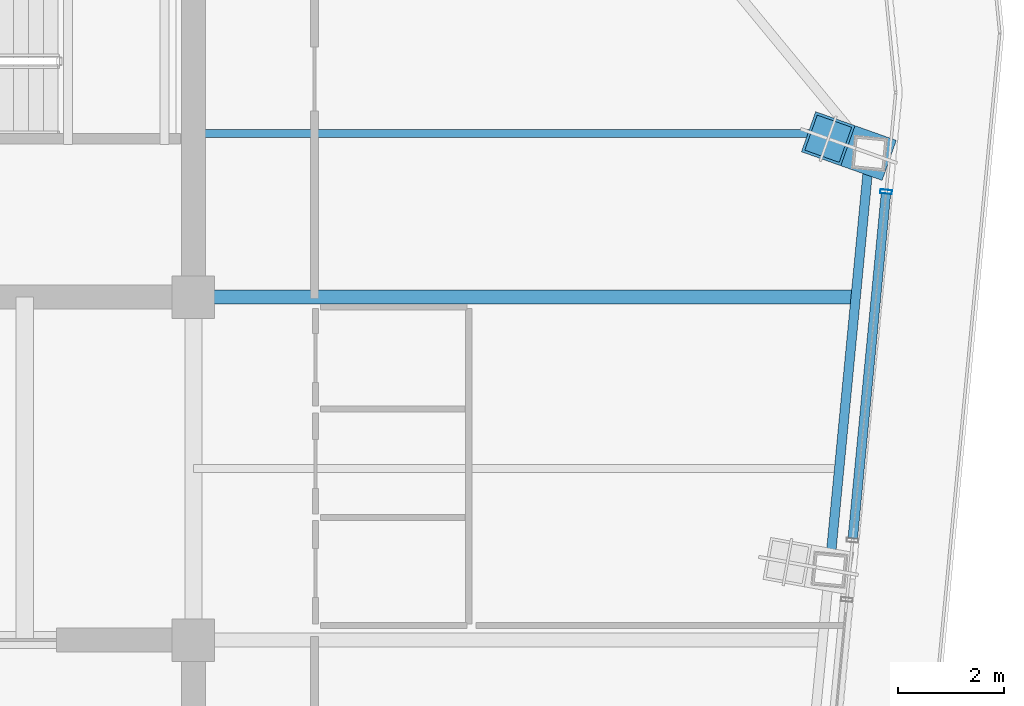
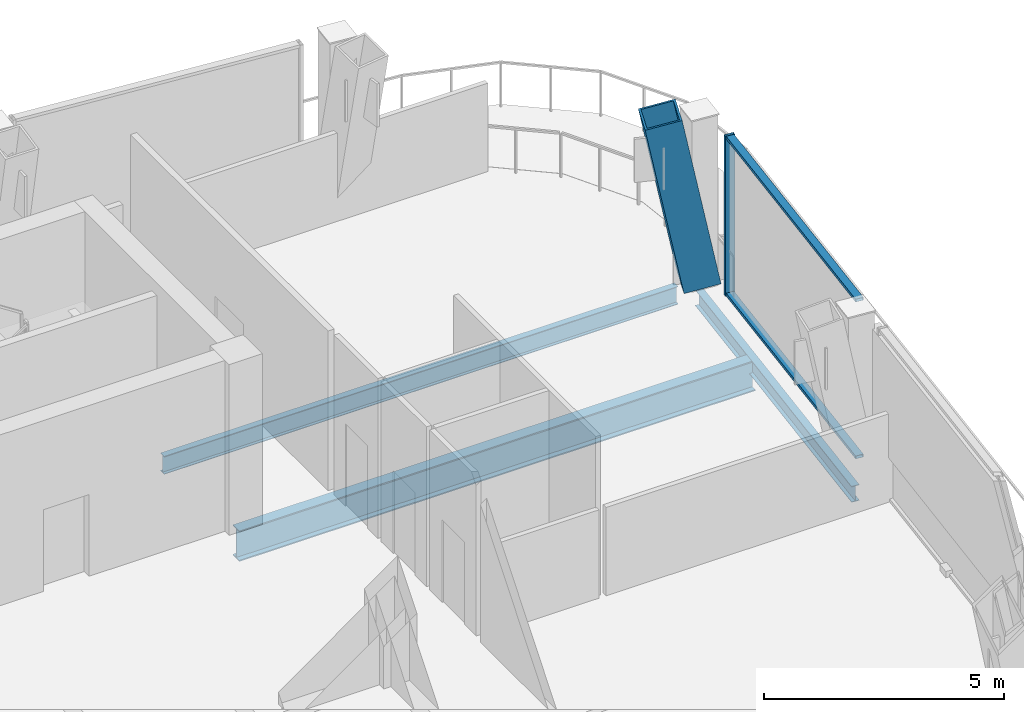
# One storey, part 7 of 19: 4 members, 3 beams, 1 element without a shape of its own.
"""IFC4 building model written with IfcOpenShell, lengths in metres."""

from ifc_helpers import new_model, si_unit, direction, frame, origin, origin_2d, place, context, subcontext, project, spatial, hollow_rectangle, i_section, extrude, material, layer, layer_set, material_profile, profile_set, type_object, element, aggregate, save


model = new_model("IFC4")

# Units and contexts
model_context = context("Model", 3, precision=1e-05, world=origin(), true_north=direction((0.0, 1.0)))
body_context = subcontext(model_context, "Body", "Model", "MODEL_VIEW")
ifc_project = project(units=[si_unit("LENGTHUNIT", "METRE"), si_unit("AREAUNIT", "SQUARE_METRE"), si_unit("VOLUMEUNIT", "CUBIC_METRE"), si_unit("PLANEANGLEUNIT", "RADIAN"), si_unit("MASSUNIT", "GRAM", prefix="KILO")], contexts=[model_context])

# Site, building, storey
site_placement = place(None, origin())
site = spatial("IfcSite", under=ifc_project, at=site_placement, CompositionType="ELEMENT")
building_placement = place(site_placement, origin())
building = spatial("IfcBuilding", under=site, at=building_placement, Name="Qhalaya Broadcast Tower", CompositionType="ELEMENT")
storey_placement = place(building_placement, frame((0.0, 0.0, 280.550048828125)))
storey = spatial("IfcBuildingStorey", under=building, at=storey_placement, Name="L83", CompositionType="ELEMENT", Elevation=280.550048828125)

# Beams
ifc_material_1 = material(Name="Structural Steel ASTM A992 Grade 50", Category="steel")
ifc_material_profile_1 = material_profile(ifc_material_1, i_section(OverallWidth=0.154052734375, OverallDepth=0.458984375, WebThickness=0.009033203125, FlangeThickness=0.015380859375, at=origin_2d()), Name="W18X46")
ifc_profile_set_1 = profile_set([ifc_material_profile_1], Name="Structural Steel ASTM A992 Grade 50")
beam_type_1 = type_object("IfcBeamType", Name="Composite Floor Joist J04", PredefinedType="JOIST", material=ifc_profile_set_1)
beam_1_placement = place(storey_placement, frame((9.375, 6.89990234375, -0.41943359375), z_axis=(1.0, 0.0, 0.0), x_axis=(0.0, 1.0, 0.0)))
element("IfcBeam", 1, at=beam_1_placement, inside=storey, type_object=beam_type_1, Name="L83 J04 L83-JWE5E-1", PredefinedType="JOIST", context=body_context, shape_type="SweptSolid", body=[
    extrude(i_section(OverallWidth=0.154052734375, OverallDepth=0.458984375, WebThickness=0.009033203125, FlangeThickness=0.015380859375, at=origin_2d()), origin(), (0.0, 0.0, 1.0), 12.38330078125),
])
ifc_material_profile_2 = material_profile(ifc_material_1, i_section(OverallWidth=0.26708984375, OverallDepth=0.780029296875, WebThickness=0.0166015625, FlangeThickness=0.030029296875, at=origin_2d()), Name="W30X148")
ifc_profile_set_2 = profile_set([ifc_material_profile_2], Name="Structural Steel ASTM A992 Grade 50")
beam_type_2 = type_object("IfcBeamType", Name="Neck & Crown Primary Girder PG5", PredefinedType="USERDEFINED", material=ifc_profile_set_2)
beam_2_placement = place(storey_placement, frame((9.375, 3.824951171875, -0.580078125), z_axis=(1.0, 0.0, 0.0), x_axis=(0.0, 1.0, 0.0)))
element("IfcBeam", 2, at=beam_2_placement, inside=storey, type_object=beam_type_2, Name="L83 PG5 L83-PGYE3-1", ObjectType="GIRDER", PredefinedType="USERDEFINED", context=body_context, shape_type="SweptSolid", body=[
    extrude(i_section(OverallWidth=0.26708984375, OverallDepth=0.780029296875, WebThickness=0.0166015625, FlangeThickness=0.030029296875, at=origin_2d()), origin(), (0.0, 0.0, 1.0), 12.43505859375),
])

# Curtain wall, members
ifc_material_2 = material(Name="Solar-Control Low-E Triple Glazing", Category="glass")
ifc_layer = layer(ifc_material_2, 0.219970703125, Name="Solar-Control Low-E Triple Glazing")
ifc_layer_set = layer_set([ifc_layer], Name="Solar-Control Low-E Triple Glazing")
curtain_wall_type = type_object("IfcCurtainWallType", Name="Crown Garden & Observation Windscreen Curtain Wall CW-06", PredefinedType="NOTDEFINED", material=ifc_layer_set)
curtain_wall_placement = place(storey_placement, origin())
curtain_wall = element("IfcCurtainWall", 3, at=curtain_wall_placement, inside=storey, type_object=curtain_wall_type, Name="L83 Unitised Curtain Wall L83-CW-E3", PredefinedType="NOTDEFINED")
ifc_material_3 = material(Name="Anodised Aluminium 6063-T6", Category="aluminium")
ifc_material_profile_3 = material_profile(ifc_material_3, hollow_rectangle(XDim=0.074951171875, YDim=0.219970703125, WallThickness=0.00390625, at=origin_2d()), Name="ALU-MUL 75x220x4")
ifc_profile_set_3 = profile_set([ifc_material_profile_3], Name="Anodised Aluminium 6063-T6")
member_type_1 = type_object("IfcMemberType", Name="Unitised Curtain-Wall Mullion M01", PredefinedType="MULLION", material=ifc_profile_set_3)
member_1_placement = place(storey_placement, frame((22.40283203125, 5.8076171875, 0.0), z_axis=(0.0, 0.0, 1.0), x_axis=(0.095842545179, 0.995396507194, 0.0)))
member_1 = element("IfcMember", 4, at=member_1_placement, type_object=member_type_1, Name="CW-06 mullion 2", PredefinedType="MULLION", context=body_context, shape_type="SweptSolid", body=[
    extrude(hollow_rectangle(XDim=0.074951171875, YDim=0.219970703125, WallThickness=0.00390625, at=origin_2d()), origin(), (0.0, 0.0, 1.0), 4.070068359375),
])
ifc_material_profile_4 = material_profile(ifc_material_3, hollow_rectangle(XDim=0.074951171875, YDim=0.179931640625, WallThickness=0.00390625, at=origin_2d()), Name="ALU-TRN 75x180x4")
ifc_profile_set_4 = profile_set([ifc_material_profile_4], Name="Anodised Aluminium 6063-T6")
member_type_2 = type_object("IfcMemberType", Name="Unitised Curtain-Wall Transom T01", PredefinedType="USERDEFINED", material=ifc_profile_set_4)
member_2_placement = place(storey_placement, frame((21.775146484375, -0.711669921875, 0.037353515625), z_axis=(0.09582813628, 0.995397894461, 0.0), x_axis=(0.0, 0.0, 1.0)))
member_2 = element("IfcMember", 5, at=member_2_placement, type_object=member_type_2, Name="CW-06 transom 1.1", ObjectType="TRANSOM", PredefinedType="USERDEFINED", context=body_context, shape_type="SweptSolid", body=[
    extrude(hollow_rectangle(XDim=0.074951171875, YDim=0.179931640625, WallThickness=0.00390625, at=origin_2d()), origin(), (0.0, 0.0, 1.0), 6.511962890625),
])
member_3_placement = place(storey_placement, frame((21.775146484375, -0.711669921875, 4.032470703125), z_axis=(0.09582813628, 0.995397894461, 0.0), x_axis=(0.0, 0.0, 1.0)))
member_3 = element("IfcMember", 6, at=member_3_placement, type_object=member_type_2, Name="CW-06 transom 1.2", ObjectType="TRANSOM", PredefinedType="USERDEFINED", context=body_context, shape_type="SweptSolid", body=[
    extrude(hollow_rectangle(XDim=0.074951171875, YDim=0.179931640625, WallThickness=0.00390625, at=origin_2d()), origin(), (0.0, 0.0, 1.0), 6.511962890625),
])
aggregate(curtain_wall, [member_1, member_2, member_3])

# Member
ifc_material_4 = material(Name="Structural Steel ASTM A572 Grade 50", Category="steel")
ifc_material_profile_5 = material_profile(ifc_material_4, hollow_rectangle(XDim=0.800048828125, YDim=0.800048828125, WallThickness=0.050048828125, at=origin_2d()), Name="BOX 800x800x50")
ifc_profile_set_5 = profile_set([ifc_material_profile_5], Name="Structural Steel ASTM A572 Grade 50")
member_type_3 = type_object("IfcMemberType", Name="Upper Exoskeleton Transfer Strut RK2", PredefinedType="BRACE", material=ifc_profile_set_5)
member_4_placement = place(storey_placement, frame((22.09033203125, 6.5283203125, 0.0859375), z_axis=(-0.178934731808, 0.063523797343, 0.981808071327), x_axis=(-0.334554043226, -0.942376566008, 0.0)))
element("IfcMember", 7, at=member_4_placement, inside=storey, type_object=member_type_3, Name="L83 Inclined Exoskeleton Transfer Strut 08", PredefinedType="BRACE", context=body_context, shape_type="SweptSolid", body=[
    extrude(hollow_rectangle(XDim=0.800048828125, YDim=0.800048828125, WallThickness=0.050048828125, at=origin_2d()), origin(), (0.0, 0.0, 1.0), 4.343017578125),
])

# Beam
ifc_material_profile_6 = material_profile(ifc_material_1, i_section(OverallWidth=0.177978515625, OverallDepth=0.406005859375, WebThickness=0.0078125, FlangeThickness=0.0126953125, at=origin_2d()), Name="W16X40")
ifc_profile_set_6 = profile_set([ifc_material_profile_6], Name="Structural Steel ASTM A992 Grade 50")
beam_type_3 = type_object("IfcBeamType", Name="Upper Perimeter Spandrel Beam SP2", PredefinedType="SPANDREL", material=ifc_profile_set_6)
beam_3_placement = place(storey_placement, frame((21.33642578125, -1.302001953125, -0.39306640625), z_axis=(0.095837184179, 0.995397023367, 0.0), x_axis=(-0.995397023367, 0.095837184179, 0.0)))
element("IfcBeam", 8, at=beam_3_placement, inside=storey, type_object=beam_type_3, Name="L83 SP2 L83-SPR-07", PredefinedType="SPANDREL", context=body_context, shape_type="SweptSolid", body=[
    extrude(i_section(OverallWidth=0.177978515625, OverallDepth=0.406005859375, WebThickness=0.0078125, FlangeThickness=0.0126953125, at=origin_2d()), origin(), (0.0, 0.0, 1.0), 7.866455078125),
])

save(model, "model.ifc")
